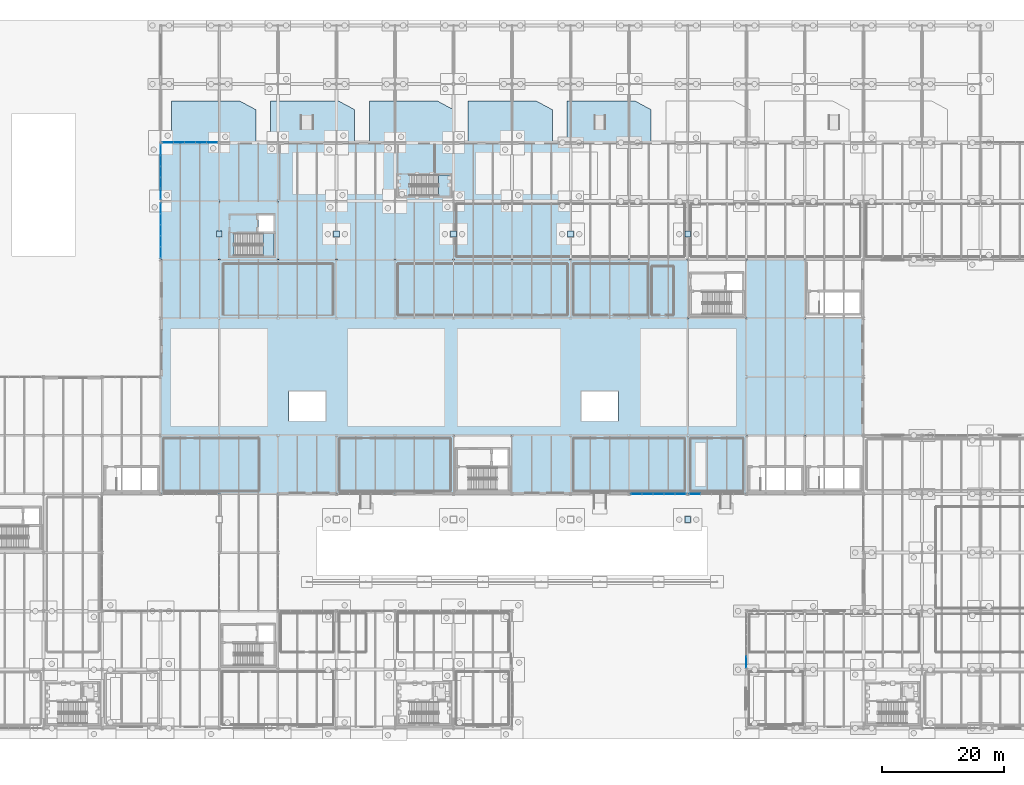
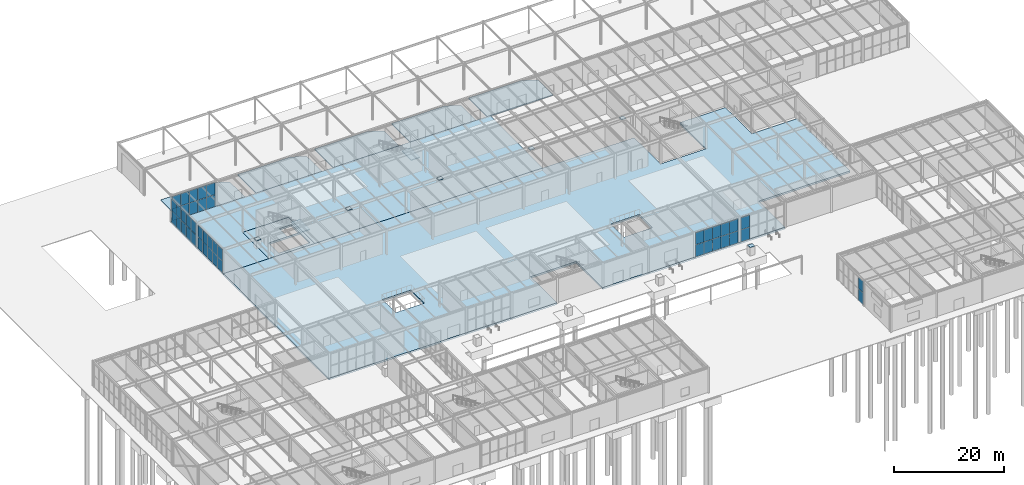
# One storey, part 109 of 142: 50 plates, 10 slabs, 8 elements without a shape of their own.
"""IFC4 building model written with IfcOpenShell, lengths in metres."""

from ifc_helpers import new_model, si_unit, direction, frame, origin, origin_2d, place, context, subcontext, project, spatial, polyline, rectangle, outline, extrude, material, layer, layer_set, type_object, element, aggregate, save


model = new_model("IFC4")

# Units and contexts
model_context = context("Model", 3, precision=1e-05, world=origin(), true_north=direction((0.0, 1.0)))
body_context = subcontext(model_context, "Body", "Model", "MODEL_VIEW")
ifc_project = project(units=[si_unit("LENGTHUNIT", "METRE"), si_unit("AREAUNIT", "SQUARE_METRE"), si_unit("VOLUMEUNIT", "CUBIC_METRE"), si_unit("PLANEANGLEUNIT", "RADIAN"), si_unit("MASSUNIT", "GRAM", prefix="KILO")], contexts=[model_context])

# Site, building, storey
site_placement = place(None, origin())
site = spatial("IfcSite", under=ifc_project, at=site_placement, CompositionType="ELEMENT")
building_placement = place(site_placement, origin())
building = spatial("IfcBuilding", under=site, at=building_placement, Name="Coralgate Yard Interchange", CompositionType="ELEMENT")
storey_placement = place(building_placement, origin())
storey = spatial("IfcBuildingStorey", under=building, at=storey_placement, Name="L00", CompositionType="ELEMENT", Elevation=0.0)

# Plates
ifc_material_1 = material(Name="Yellow-ochre weather-coated structural steel S355J2", Category="steel")
ifc_layer_1 = layer(ifc_material_1, 0.0400390625)
ifc_layer_set_1 = layer_set([ifc_layer_1], Name="Yellow-ochre weather-coated structural steel S355J2")
plate_type_1 = type_object("IfcPlateType", Name="PLT-BP-40", PredefinedType="USERDEFINED", material=ifc_layer_set_1)
for number, where, z_axis, x_axis, name in (
    (1, (48.0, 81.0, 1.800048828125), (0.0, 0.0, 1.0), (1.0, 0.0, 0.0), "Arch AR-1 N steel base plate BP-40"),
    (2, (67.199951171875, 81.0, 1.800048828125), (0.0, 0.0, 1.0), (1.0, 0.0, 0.0), "Arch AR-2 N steel base plate BP-40"),
    (3, (86.39990234375, 81.0, 1.800048828125), (0.0, 0.0, 1.0), (1.0, 0.0, 0.0), "Arch AR-3 N steel base plate BP-40"),
    (4, (105.60009765625, 81.0, 1.800048828125), (0.0, 0.0, 1.0), (1.0, 0.0, 0.0), "Arch AR-4 N steel base plate BP-40"),
    (5, (124.800048828125, 34.199951171875, 1.800048828125), (0.0, 0.0, 1.0), (1.0, 0.0, 0.0), "Arch AR-5 S steel base plate BP-40"),
    (6, (124.800048828125, 81.0, 1.800048828125), (0.0, 0.0, 1.0), (1.0, 0.0, 0.0), "Arch AR-5 N steel base plate BP-40"),
):
    element("IfcPlate", number, at=place(storey_placement, frame(where, z_axis=z_axis, x_axis=x_axis)), inside=storey, type_object=plate_type_1, Name=name, ObjectType="BASE PLATE", PredefinedType="USERDEFINED", context=body_context, shape_type="SweptSolid", body=[
        extrude(rectangle(XDim=0.949951171875, YDim=0.949951171875, at=origin_2d()), origin(), (0.0, 0.0, 1.0), 0.0400390625),
    ])

# Curtain wall, plates
ifc_material_2 = material(Name="Anodised coastal aluminium and solar-control low-E glass", Category="aluminium")
curtain_wall_type_1 = type_object("IfcCurtainWallType", Name="CW-CW-L00-B", PredefinedType="NOTDEFINED", material=ifc_material_2)
curtain_wall_1_placement = place(storey_placement, origin())
curtain_wall_1 = element("IfcCurtainWall", 7, at=curtain_wall_1_placement, inside=storey, type_object=curtain_wall_type_1, Name="L00 unitised curtain wall CW-L00-W-04-08", PredefinedType="NOTDEFINED")
ifc_material_3 = material(Name="Solar-control double-glazed low-E glass unit", Category="glass")
ifc_layer_2 = layer(ifc_material_3, 0.0419921875)
ifc_layer_set_2 = layer_set([ifc_layer_2], Name="Solar-control double-glazed low-E glass unit")
plate_type_2 = type_object("IfcPlateType", Name="PLT-CP-42", PredefinedType="CURTAIN_PANEL", material=ifc_layer_set_2)
plate_1_placement = place(storey_placement, frame((38.39990234375, 78.0, 0.02490234375), z_axis=(0.0, 0.0, 1.0), x_axis=(0.0, 1.0, 0.0)))
plate_1 = element("IfcPlate", 8, at=plate_1_placement, type_object=plate_type_2, Name="CW-L00-W-04-08 solar-control glazing panel 1-1", PredefinedType="CURTAIN_PANEL", context=body_context, shape_type="SweptSolid", body=[
    extrude(rectangle(XDim=1.75, YDim=0.0419921875, at=origin_2d()), origin(), (0.0, 0.0, 1.0), 2.558349609375),
])
plate_2_placement = place(storey_placement, frame((38.39990234375, 78.0, 2.63330078125), z_axis=(0.0, 0.0, 1.0), x_axis=(0.0, 1.0, 0.0)))
plate_2 = element("IfcPlate", 9, at=plate_2_placement, type_object=plate_type_2, Name="CW-L00-W-04-08 solar-control glazing panel 1-2", PredefinedType="CURTAIN_PANEL", context=body_context, shape_type="SweptSolid", body=[
    extrude(rectangle(XDim=1.75, YDim=0.0419921875, at=origin_2d()), origin(), (0.0, 0.0, 1.0), 2.558349609375),
])
plate_3_placement = place(storey_placement, frame((38.39990234375, 79.800048828125, 0.02490234375), z_axis=(0.0, 0.0, 1.0), x_axis=(0.0, 1.0, 0.0)))
plate_3 = element("IfcPlate", 10, at=plate_3_placement, type_object=plate_type_2, Name="CW-L00-W-04-08 solar-control glazing panel 2-1", PredefinedType="CURTAIN_PANEL", context=body_context, shape_type="SweptSolid", body=[
    extrude(rectangle(XDim=1.75, YDim=0.0419921875, at=origin_2d()), origin(), (0.0, 0.0, 1.0), 2.558349609375),
])
plate_4_placement = place(storey_placement, frame((38.39990234375, 79.800048828125, 2.63330078125), z_axis=(0.0, 0.0, 1.0), x_axis=(0.0, 1.0, 0.0)))
plate_4 = element("IfcPlate", 11, at=plate_4_placement, type_object=plate_type_2, Name="CW-L00-W-04-08 solar-control glazing panel 2-2", PredefinedType="CURTAIN_PANEL", context=body_context, shape_type="SweptSolid", body=[
    extrude(rectangle(XDim=1.75, YDim=0.0419921875, at=origin_2d()), origin(), (0.0, 0.0, 1.0), 2.558349609375),
])
plate_5_placement = place(storey_placement, frame((38.39990234375, 81.60009765625, 0.02490234375), z_axis=(0.0, 0.0, 1.0), x_axis=(0.0, 1.0, 0.0)))
plate_5 = element("IfcPlate", 12, at=plate_5_placement, type_object=plate_type_2, Name="CW-L00-W-04-08 solar-control glazing panel 3-1", PredefinedType="CURTAIN_PANEL", context=body_context, shape_type="SweptSolid", body=[
    extrude(rectangle(XDim=1.75, YDim=0.0419921875, at=origin_2d()), origin(), (0.0, 0.0, 1.0), 2.558349609375),
])
plate_6_placement = place(storey_placement, frame((38.39990234375, 81.60009765625, 2.63330078125), z_axis=(0.0, 0.0, 1.0), x_axis=(0.0, 1.0, 0.0)))
plate_6 = element("IfcPlate", 13, at=plate_6_placement, type_object=plate_type_2, Name="CW-L00-W-04-08 solar-control glazing panel 3-2", PredefinedType="CURTAIN_PANEL", context=body_context, shape_type="SweptSolid", body=[
    extrude(rectangle(XDim=1.75, YDim=0.0419921875, at=origin_2d()), origin(), (0.0, 0.0, 1.0), 2.558349609375),
])
plate_7_placement = place(storey_placement, frame((38.39990234375, 83.39990234375, 0.02490234375), z_axis=(0.0, 0.0, 1.0), x_axis=(0.0, 1.0, 0.0)))
plate_7 = element("IfcPlate", 14, at=plate_7_placement, type_object=plate_type_2, Name="CW-L00-W-04-08 solar-control glazing panel 4-1", PredefinedType="CURTAIN_PANEL", context=body_context, shape_type="SweptSolid", body=[
    extrude(rectangle(XDim=1.75, YDim=0.0419921875, at=origin_2d()), origin(), (0.0, 0.0, 1.0), 2.558349609375),
])
plate_8_placement = place(storey_placement, frame((38.39990234375, 83.39990234375, 2.63330078125), z_axis=(0.0, 0.0, 1.0), x_axis=(0.0, 1.0, 0.0)))
plate_8 = element("IfcPlate", 15, at=plate_8_placement, type_object=plate_type_2, Name="CW-L00-W-04-08 solar-control glazing panel 4-2", PredefinedType="CURTAIN_PANEL", context=body_context, shape_type="SweptSolid", body=[
    extrude(rectangle(XDim=1.75, YDim=0.0419921875, at=origin_2d()), origin(), (0.0, 0.0, 1.0), 2.558349609375),
])
plate_9_placement = place(storey_placement, frame((38.39990234375, 85.199951171875, 0.02490234375), z_axis=(0.0, 0.0, 1.0), x_axis=(0.0, 1.0, 0.0)))
plate_9 = element("IfcPlate", 16, at=plate_9_placement, type_object=plate_type_2, Name="CW-L00-W-04-08 solar-control glazing panel 5-1", PredefinedType="CURTAIN_PANEL", context=body_context, shape_type="SweptSolid", body=[
    extrude(rectangle(XDim=1.75, YDim=0.0419921875, at=origin_2d()), origin(), (0.0, 0.0, 1.0), 2.558349609375),
])
plate_10_placement = place(storey_placement, frame((38.39990234375, 85.199951171875, 2.63330078125), z_axis=(0.0, 0.0, 1.0), x_axis=(0.0, 1.0, 0.0)))
plate_10 = element("IfcPlate", 17, at=plate_10_placement, type_object=plate_type_2, Name="CW-L00-W-04-08 solar-control glazing panel 5-2", PredefinedType="CURTAIN_PANEL", context=body_context, shape_type="SweptSolid", body=[
    extrude(rectangle(XDim=1.75, YDim=0.0419921875, at=origin_2d()), origin(), (0.0, 0.0, 1.0), 2.558349609375),
])
aggregate(curtain_wall_1, [plate_1, plate_2, plate_3, plate_4, plate_5, plate_6, plate_7, plate_8, plate_9, plate_10])

curtain_wall_type_2 = type_object("IfcCurtainWallType", Name="CW-CW-L00-A", PredefinedType="NOTDEFINED", material=ifc_material_2)
curtain_wall_2_placement = place(storey_placement, origin())
curtain_wall_2 = element("IfcCurtainWall", 18, at=curtain_wall_2_placement, inside=storey, type_object=curtain_wall_type_2, Name="L00 unitised curtain wall CW-L00-W-04-09", PredefinedType="NOTDEFINED")
plate_11_placement = place(storey_placement, frame((38.39990234375, 87.60009765625, 0.02490234375), z_axis=(0.0, 0.0, 1.0), x_axis=(0.0, 1.0, 0.0)))
plate_11 = element("IfcPlate", 19, at=plate_11_placement, type_object=plate_type_2, Name="CW-L00-W-04-09 solar-control glazing panel 1-1", PredefinedType="CURTAIN_PANEL", context=body_context, shape_type="SweptSolid", body=[
    extrude(rectangle(XDim=1.75, YDim=0.0419921875, at=origin_2d()), origin(), (0.0, 0.0, 1.0), 2.558349609375),
])
plate_12_placement = place(storey_placement, frame((38.39990234375, 87.60009765625, 2.63330078125), z_axis=(0.0, 0.0, 1.0), x_axis=(0.0, 1.0, 0.0)))
plate_12 = element("IfcPlate", 20, at=plate_12_placement, type_object=plate_type_2, Name="CW-L00-W-04-09 solar-control glazing panel 1-2", PredefinedType="CURTAIN_PANEL", context=body_context, shape_type="SweptSolid", body=[
    extrude(rectangle(XDim=1.75, YDim=0.0419921875, at=origin_2d()), origin(), (0.0, 0.0, 1.0), 2.558349609375),
])
plate_13_placement = place(storey_placement, frame((38.39990234375, 89.39990234375, 0.02490234375), z_axis=(0.0, 0.0, 1.0), x_axis=(0.0, 1.0, 0.0)))
plate_13 = element("IfcPlate", 21, at=plate_13_placement, type_object=plate_type_2, Name="CW-L00-W-04-09 solar-control glazing panel 2-1", PredefinedType="CURTAIN_PANEL", context=body_context, shape_type="SweptSolid", body=[
    extrude(rectangle(XDim=1.75, YDim=0.0419921875, at=origin_2d()), origin(), (0.0, 0.0, 1.0), 2.558349609375),
])
plate_14_placement = place(storey_placement, frame((38.39990234375, 89.39990234375, 2.63330078125), z_axis=(0.0, 0.0, 1.0), x_axis=(0.0, 1.0, 0.0)))
plate_14 = element("IfcPlate", 22, at=plate_14_placement, type_object=plate_type_2, Name="CW-L00-W-04-09 solar-control glazing panel 2-2", PredefinedType="CURTAIN_PANEL", context=body_context, shape_type="SweptSolid", body=[
    extrude(rectangle(XDim=1.75, YDim=0.0419921875, at=origin_2d()), origin(), (0.0, 0.0, 1.0), 2.558349609375),
])
plate_15_placement = place(storey_placement, frame((38.39990234375, 91.199951171875, 0.02490234375), z_axis=(0.0, 0.0, 1.0), x_axis=(0.0, 1.0, 0.0)))
plate_15 = element("IfcPlate", 23, at=plate_15_placement, type_object=plate_type_2, Name="CW-L00-W-04-09 solar-control glazing panel 3-1", PredefinedType="CURTAIN_PANEL", context=body_context, shape_type="SweptSolid", body=[
    extrude(rectangle(XDim=1.75, YDim=0.0419921875, at=origin_2d()), origin(), (0.0, 0.0, 1.0), 2.558349609375),
])
plate_16_placement = place(storey_placement, frame((38.39990234375, 91.199951171875, 2.63330078125), z_axis=(0.0, 0.0, 1.0), x_axis=(0.0, 1.0, 0.0)))
plate_16 = element("IfcPlate", 24, at=plate_16_placement, type_object=plate_type_2, Name="CW-L00-W-04-09 solar-control glazing panel 3-2", PredefinedType="CURTAIN_PANEL", context=body_context, shape_type="SweptSolid", body=[
    extrude(rectangle(XDim=1.75, YDim=0.0419921875, at=origin_2d()), origin(), (0.0, 0.0, 1.0), 2.558349609375),
])
plate_17_placement = place(storey_placement, frame((38.39990234375, 93.0, 0.02490234375), z_axis=(0.0, 0.0, 1.0), x_axis=(0.0, 1.0, 0.0)))
plate_17 = element("IfcPlate", 25, at=plate_17_placement, type_object=plate_type_2, Name="CW-L00-W-04-09 solar-control glazing panel 4-1", PredefinedType="CURTAIN_PANEL", context=body_context, shape_type="SweptSolid", body=[
    extrude(rectangle(XDim=1.75, YDim=0.0419921875, at=origin_2d()), origin(), (0.0, 0.0, 1.0), 2.558349609375),
])
plate_18_placement = place(storey_placement, frame((38.39990234375, 93.0, 2.63330078125), z_axis=(0.0, 0.0, 1.0), x_axis=(0.0, 1.0, 0.0)))
plate_18 = element("IfcPlate", 26, at=plate_18_placement, type_object=plate_type_2, Name="CW-L00-W-04-09 solar-control glazing panel 4-2", PredefinedType="CURTAIN_PANEL", context=body_context, shape_type="SweptSolid", body=[
    extrude(rectangle(XDim=1.75, YDim=0.0419921875, at=origin_2d()), origin(), (0.0, 0.0, 1.0), 2.558349609375),
])
plate_19_placement = place(storey_placement, frame((38.39990234375, 94.800048828125, 0.02490234375), z_axis=(0.0, 0.0, 1.0), x_axis=(0.0, 1.0, 0.0)))
plate_19 = element("IfcPlate", 27, at=plate_19_placement, type_object=plate_type_2, Name="CW-L00-W-04-09 solar-control glazing panel 5-1", PredefinedType="CURTAIN_PANEL", context=body_context, shape_type="SweptSolid", body=[
    extrude(rectangle(XDim=1.75, YDim=0.0419921875, at=origin_2d()), origin(), (0.0, 0.0, 1.0), 2.558349609375),
])
plate_20_placement = place(storey_placement, frame((38.39990234375, 94.800048828125, 2.63330078125), z_axis=(0.0, 0.0, 1.0), x_axis=(0.0, 1.0, 0.0)))
plate_20 = element("IfcPlate", 28, at=plate_20_placement, type_object=plate_type_2, Name="CW-L00-W-04-09 solar-control glazing panel 5-2", PredefinedType="CURTAIN_PANEL", context=body_context, shape_type="SweptSolid", body=[
    extrude(rectangle(XDim=1.75, YDim=0.0419921875, at=origin_2d()), origin(), (0.0, 0.0, 1.0), 2.558349609375),
])
aggregate(curtain_wall_2, [plate_11, plate_12, plate_13, plate_14, plate_15, plate_16, plate_17, plate_18, plate_19, plate_20])

curtain_wall_3_placement = place(storey_placement, origin())
curtain_wall_3 = element("IfcCurtainWall", 29, at=curtain_wall_3_placement, inside=storey, type_object=curtain_wall_type_1, Name="L00 unitised curtain wall CW-L00-N-04-09", PredefinedType="NOTDEFINED")
plate_21_placement = place(storey_placement, frame((39.60009765625, 96.0, 0.025146484375), z_axis=(0.0, 0.0, 1.0), x_axis=(1.0, 0.0, 0.0)))
plate_21 = element("IfcPlate", 30, at=plate_21_placement, type_object=plate_type_2, Name="CW-L00-N-04-09 solar-control glazing panel 1-1", PredefinedType="CURTAIN_PANEL", context=body_context, shape_type="SweptSolid", body=[
    extrude(rectangle(XDim=1.75, YDim=0.0419921875, at=origin_2d()), origin(), (0.0, 0.0, 1.0), 2.64990234375),
])
plate_22_placement = place(storey_placement, frame((39.60009765625, 96.0, 2.72509765625), z_axis=(0.0, 0.0, 1.0), x_axis=(1.0, 0.0, 0.0)))
plate_22 = element("IfcPlate", 31, at=plate_22_placement, type_object=plate_type_2, Name="CW-L00-N-04-09 solar-control glazing panel 1-2", PredefinedType="CURTAIN_PANEL", context=body_context, shape_type="SweptSolid", body=[
    extrude(rectangle(XDim=1.75, YDim=0.0419921875, at=origin_2d()), origin(), (0.0, 0.0, 1.0), 2.64990234375),
])
plate_23_placement = place(storey_placement, frame((41.39990234375, 96.0, 0.025146484375), z_axis=(0.0, 0.0, 1.0), x_axis=(1.0, 0.0, 0.0)))
plate_23 = element("IfcPlate", 32, at=plate_23_placement, type_object=plate_type_2, Name="CW-L00-N-04-09 solar-control glazing panel 2-1", PredefinedType="CURTAIN_PANEL", context=body_context, shape_type="SweptSolid", body=[
    extrude(rectangle(XDim=1.75, YDim=0.0419921875, at=origin_2d()), origin(), (0.0, 0.0, 1.0), 2.64990234375),
])
plate_24_placement = place(storey_placement, frame((41.39990234375, 96.0, 2.72509765625), z_axis=(0.0, 0.0, 1.0), x_axis=(1.0, 0.0, 0.0)))
plate_24 = element("IfcPlate", 33, at=plate_24_placement, type_object=plate_type_2, Name="CW-L00-N-04-09 solar-control glazing panel 2-2", PredefinedType="CURTAIN_PANEL", context=body_context, shape_type="SweptSolid", body=[
    extrude(rectangle(XDim=1.75, YDim=0.0419921875, at=origin_2d()), origin(), (0.0, 0.0, 1.0), 2.64990234375),
])
plate_25_placement = place(storey_placement, frame((43.199951171875, 96.0, 0.025146484375), z_axis=(0.0, 0.0, 1.0), x_axis=(1.0, 0.0, 0.0)))
plate_25 = element("IfcPlate", 34, at=plate_25_placement, type_object=plate_type_2, Name="CW-L00-N-04-09 solar-control glazing panel 3-1", PredefinedType="CURTAIN_PANEL", context=body_context, shape_type="SweptSolid", body=[
    extrude(rectangle(XDim=1.75, YDim=0.0419921875, at=origin_2d()), origin(), (0.0, 0.0, 1.0), 2.64990234375),
])
plate_26_placement = place(storey_placement, frame((43.199951171875, 96.0, 2.72509765625), z_axis=(0.0, 0.0, 1.0), x_axis=(1.0, 0.0, 0.0)))
plate_26 = element("IfcPlate", 35, at=plate_26_placement, type_object=plate_type_2, Name="CW-L00-N-04-09 solar-control glazing panel 3-2", PredefinedType="CURTAIN_PANEL", context=body_context, shape_type="SweptSolid", body=[
    extrude(rectangle(XDim=1.75, YDim=0.0419921875, at=origin_2d()), origin(), (0.0, 0.0, 1.0), 2.64990234375),
])
plate_27_placement = place(storey_placement, frame((45.0, 96.0, 0.025146484375), z_axis=(0.0, 0.0, 1.0), x_axis=(1.0, 0.0, 0.0)))
plate_27 = element("IfcPlate", 36, at=plate_27_placement, type_object=plate_type_2, Name="CW-L00-N-04-09 solar-control glazing panel 4-1", PredefinedType="CURTAIN_PANEL", context=body_context, shape_type="SweptSolid", body=[
    extrude(rectangle(XDim=1.75, YDim=0.0419921875, at=origin_2d()), origin(), (0.0, 0.0, 1.0), 2.64990234375),
])
plate_28_placement = place(storey_placement, frame((45.0, 96.0, 2.72509765625), z_axis=(0.0, 0.0, 1.0), x_axis=(1.0, 0.0, 0.0)))
plate_28 = element("IfcPlate", 37, at=plate_28_placement, type_object=plate_type_2, Name="CW-L00-N-04-09 solar-control glazing panel 4-2", PredefinedType="CURTAIN_PANEL", context=body_context, shape_type="SweptSolid", body=[
    extrude(rectangle(XDim=1.75, YDim=0.0419921875, at=origin_2d()), origin(), (0.0, 0.0, 1.0), 2.64990234375),
])
plate_29_placement = place(storey_placement, frame((46.800048828125, 96.0, 0.025146484375), z_axis=(0.0, 0.0, 1.0), x_axis=(1.0, 0.0, 0.0)))
plate_29 = element("IfcPlate", 38, at=plate_29_placement, type_object=plate_type_2, Name="CW-L00-N-04-09 solar-control glazing panel 5-1", PredefinedType="CURTAIN_PANEL", context=body_context, shape_type="SweptSolid", body=[
    extrude(rectangle(XDim=1.75, YDim=0.0419921875, at=origin_2d()), origin(), (0.0, 0.0, 1.0), 2.64990234375),
])
plate_30_placement = place(storey_placement, frame((46.800048828125, 96.0, 2.72509765625), z_axis=(0.0, 0.0, 1.0), x_axis=(1.0, 0.0, 0.0)))
plate_30 = element("IfcPlate", 39, at=plate_30_placement, type_object=plate_type_2, Name="CW-L00-N-04-09 solar-control glazing panel 5-2", PredefinedType="CURTAIN_PANEL", context=body_context, shape_type="SweptSolid", body=[
    extrude(rectangle(XDim=1.75, YDim=0.0419921875, at=origin_2d()), origin(), (0.0, 0.0, 1.0), 2.64990234375),
])
aggregate(curtain_wall_3, [plate_21, plate_22, plate_23, plate_24, plate_25, plate_26, plate_27, plate_28, plate_29, plate_30])

curtain_wall_4_placement = place(storey_placement, origin())
curtain_wall_4 = element("IfcCurtainWall", 40, at=curtain_wall_4_placement, inside=storey, type_object=curtain_wall_type_2, Name="L00 unitised curtain wall CW-L00-S-12-04", PredefinedType="NOTDEFINED")
plate_31_placement = place(storey_placement, frame((123.60009765625, 38.39990234375, 0.025146484375), z_axis=(0.0, 0.0, 1.0), x_axis=(-1.0, 0.0, 0.0)))
plate_31 = element("IfcPlate", 41, at=plate_31_placement, type_object=plate_type_2, Name="CW-L00-S-12-04 solar-control glazing panel 1-1", PredefinedType="CURTAIN_PANEL", context=body_context, shape_type="SweptSolid", body=[
    extrude(rectangle(XDim=1.75, YDim=0.0419921875, at=origin_2d()), origin(), (0.0, 0.0, 1.0), 2.64990234375),
])
plate_32_placement = place(storey_placement, frame((123.60009765625, 38.39990234375, 2.72509765625), z_axis=(0.0, 0.0, 1.0), x_axis=(-1.0, 0.0, 0.0)))
plate_32 = element("IfcPlate", 42, at=plate_32_placement, type_object=plate_type_2, Name="CW-L00-S-12-04 solar-control glazing panel 1-2", PredefinedType="CURTAIN_PANEL", context=body_context, shape_type="SweptSolid", body=[
    extrude(rectangle(XDim=1.75, YDim=0.0419921875, at=origin_2d()), origin(), (0.0, 0.0, 1.0), 2.64990234375),
])
plate_33_placement = place(storey_placement, frame((121.800048828125, 38.39990234375, 0.025146484375), z_axis=(0.0, 0.0, 1.0), x_axis=(-1.0, 0.0, 0.0)))
plate_33 = element("IfcPlate", 43, at=plate_33_placement, type_object=plate_type_2, Name="CW-L00-S-12-04 solar-control glazing panel 2-1", PredefinedType="CURTAIN_PANEL", context=body_context, shape_type="SweptSolid", body=[
    extrude(rectangle(XDim=1.75, YDim=0.0419921875, at=origin_2d()), origin(), (0.0, 0.0, 1.0), 2.64990234375),
])
plate_34_placement = place(storey_placement, frame((121.800048828125, 38.39990234375, 2.72509765625), z_axis=(0.0, 0.0, 1.0), x_axis=(-1.0, 0.0, 0.0)))
plate_34 = element("IfcPlate", 44, at=plate_34_placement, type_object=plate_type_2, Name="CW-L00-S-12-04 solar-control glazing panel 2-2", PredefinedType="CURTAIN_PANEL", context=body_context, shape_type="SweptSolid", body=[
    extrude(rectangle(XDim=1.75, YDim=0.0419921875, at=origin_2d()), origin(), (0.0, 0.0, 1.0), 2.64990234375),
])
plate_35_placement = place(storey_placement, frame((120.0, 38.39990234375, 0.025146484375), z_axis=(0.0, 0.0, 1.0), x_axis=(-1.0, 0.0, 0.0)))
plate_35 = element("IfcPlate", 45, at=plate_35_placement, type_object=plate_type_2, Name="CW-L00-S-12-04 solar-control glazing panel 3-1", PredefinedType="CURTAIN_PANEL", context=body_context, shape_type="SweptSolid", body=[
    extrude(rectangle(XDim=1.75, YDim=0.0419921875, at=origin_2d()), origin(), (0.0, 0.0, 1.0), 2.64990234375),
])
plate_36_placement = place(storey_placement, frame((120.0, 38.39990234375, 2.72509765625), z_axis=(0.0, 0.0, 1.0), x_axis=(-1.0, 0.0, 0.0)))
plate_36 = element("IfcPlate", 46, at=plate_36_placement, type_object=plate_type_2, Name="CW-L00-S-12-04 solar-control glazing panel 3-2", PredefinedType="CURTAIN_PANEL", context=body_context, shape_type="SweptSolid", body=[
    extrude(rectangle(XDim=1.75, YDim=0.0419921875, at=origin_2d()), origin(), (0.0, 0.0, 1.0), 2.64990234375),
])
plate_37_placement = place(storey_placement, frame((118.199951171875, 38.39990234375, 0.025146484375), z_axis=(0.0, 0.0, 1.0), x_axis=(-1.0, 0.0, 0.0)))
plate_37 = element("IfcPlate", 47, at=plate_37_placement, type_object=plate_type_2, Name="CW-L00-S-12-04 solar-control glazing panel 4-1", PredefinedType="CURTAIN_PANEL", context=body_context, shape_type="SweptSolid", body=[
    extrude(rectangle(XDim=1.75, YDim=0.0419921875, at=origin_2d()), origin(), (0.0, 0.0, 1.0), 2.64990234375),
])
plate_38_placement = place(storey_placement, frame((118.199951171875, 38.39990234375, 2.72509765625), z_axis=(0.0, 0.0, 1.0), x_axis=(-1.0, 0.0, 0.0)))
plate_38 = element("IfcPlate", 48, at=plate_38_placement, type_object=plate_type_2, Name="CW-L00-S-12-04 solar-control glazing panel 4-2", PredefinedType="CURTAIN_PANEL", context=body_context, shape_type="SweptSolid", body=[
    extrude(rectangle(XDim=1.75, YDim=0.0419921875, at=origin_2d()), origin(), (0.0, 0.0, 1.0), 2.64990234375),
])
plate_39_placement = place(storey_placement, frame((116.39990234375, 38.39990234375, 0.025146484375), z_axis=(0.0, 0.0, 1.0), x_axis=(-1.0, 0.0, 0.0)))
plate_39 = element("IfcPlate", 49, at=plate_39_placement, type_object=plate_type_2, Name="CW-L00-S-12-04 solar-control glazing panel 5-1", PredefinedType="CURTAIN_PANEL", context=body_context, shape_type="SweptSolid", body=[
    extrude(rectangle(XDim=1.75, YDim=0.0419921875, at=origin_2d()), origin(), (0.0, 0.0, 1.0), 2.64990234375),
])
plate_40_placement = place(storey_placement, frame((116.39990234375, 38.39990234375, 2.72509765625), z_axis=(0.0, 0.0, 1.0), x_axis=(-1.0, 0.0, 0.0)))
plate_40 = element("IfcPlate", 50, at=plate_40_placement, type_object=plate_type_2, Name="CW-L00-S-12-04 solar-control glazing panel 5-2", PredefinedType="CURTAIN_PANEL", context=body_context, shape_type="SweptSolid", body=[
    extrude(rectangle(XDim=1.75, YDim=0.0419921875, at=origin_2d()), origin(), (0.0, 0.0, 1.0), 2.64990234375),
])
aggregate(curtain_wall_4, [plate_31, plate_32, plate_33, plate_34, plate_35, plate_36, plate_37, plate_38, plate_39, plate_40])

curtain_wall_5_placement = place(storey_placement, origin())
curtain_wall_5 = element("IfcCurtainWall", 51, at=curtain_wall_5_placement, inside=storey, type_object=curtain_wall_type_2, Name="L00 unitised curtain wall CW-L00-S-13-04", PredefinedType="NOTDEFINED")
plate_41_placement = place(storey_placement, frame((126.0, 38.39990234375, 0.025146484375), z_axis=(0.0, 0.0, 1.0), x_axis=(-1.0, 0.0, 0.0)))
plate_41 = element("IfcPlate", 52, at=plate_41_placement, type_object=plate_type_2, Name="CW-L00-S-13-04 solar-control glazing panel 5-1", PredefinedType="CURTAIN_PANEL", context=body_context, shape_type="SweptSolid", body=[
    extrude(rectangle(XDim=1.75, YDim=0.0419921875, at=origin_2d()), origin(), (0.0, 0.0, 1.0), 2.64990234375),
])
plate_42_placement = place(storey_placement, frame((126.0, 38.39990234375, 2.72509765625), z_axis=(0.0, 0.0, 1.0), x_axis=(-1.0, 0.0, 0.0)))
plate_42 = element("IfcPlate", 53, at=plate_42_placement, type_object=plate_type_2, Name="CW-L00-S-13-04 solar-control glazing panel 5-2", PredefinedType="CURTAIN_PANEL", context=body_context, shape_type="SweptSolid", body=[
    extrude(rectangle(XDim=1.75, YDim=0.0419921875, at=origin_2d()), origin(), (0.0, 0.0, 1.0), 2.64990234375),
])
aggregate(curtain_wall_5, [plate_41, plate_42])

curtain_wall_6_placement = place(storey_placement, origin())
curtain_wall_6 = element("IfcCurtainWall", 54, at=curtain_wall_6_placement, inside=storey, type_object=curtain_wall_type_2, Name="L00 unitised curtain wall CW-L00-W-14-01", PredefinedType="NOTDEFINED")
plate_43_placement = place(storey_placement, frame((134.39990234375, 10.800048828125, 0.02490234375), z_axis=(0.0, 0.0, 1.0), x_axis=(0.0, 1.0, 0.0)))
plate_43 = element("IfcPlate", 55, at=plate_43_placement, type_object=plate_type_2, Name="CW-L00-W-14-01 solar-control glazing panel 1-1", PredefinedType="CURTAIN_PANEL", context=body_context, shape_type="SweptSolid", body=[
    extrude(rectangle(XDim=1.75, YDim=0.0419921875, at=origin_2d()), origin(), (0.0, 0.0, 1.0), 2.558349609375),
])
plate_44_placement = place(storey_placement, frame((134.39990234375, 10.800048828125, 2.63330078125), z_axis=(0.0, 0.0, 1.0), x_axis=(0.0, 1.0, 0.0)))
plate_44 = element("IfcPlate", 56, at=plate_44_placement, type_object=plate_type_2, Name="CW-L00-W-14-01 solar-control glazing panel 1-2", PredefinedType="CURTAIN_PANEL", context=body_context, shape_type="SweptSolid", body=[
    extrude(rectangle(XDim=1.75, YDim=0.0419921875, at=origin_2d()), origin(), (0.0, 0.0, 1.0), 2.558349609375),
])
aggregate(curtain_wall_6, [plate_43, plate_44])

# Stair, slab
ifc_material_4 = material(Name="Concrete C40/50", Category="concrete")
stair_type_1 = type_object("IfcStairType", Name="STR-DL-175-60", PredefinedType="HALF_TURN_STAIR", material=ifc_material_4)
stair_1_placement = place(storey_placement, origin())
stair_1 = element("IfcStair", 57, at=stair_1_placement, inside=storey, type_object=stair_type_1, Name="L00 Escape stair ST-05", PredefinedType="HALF_TURN_STAIR")
ifc_layer_3 = layer(ifc_material_4, 0.199951171875)
ifc_layer_set_3 = layer_set([ifc_layer_3], Name="Concrete C40/50")
slab_type_1 = type_object("IfcSlabType", Name="SLB-LND200", PredefinedType="LANDING", material=ifc_layer_set_3)
slab_1_placement = place(storey_placement, frame((0.0, 0.0, 2.800048828125)))
slab_1 = element("IfcSlab", 58, at=slab_1_placement, type_object=slab_type_1, Name="ST-05 landing 1", PredefinedType="LANDING", context=body_context, shape_type="SweptSolid", body=[
    extrude(outline(polyline([(55.159912109375, 77.449951171875), (57.0, 77.449951171875), (57.0, 81.110107421875), (55.159912109375, 81.110107421875), (55.159912109375, 77.449951171875)])), origin(), (0.0, 0.0, 1.0), 0.199951171875),
])
aggregate(stair_1, [slab_1])

stair_type_2 = type_object("IfcStairType", Name="STR-DL-158-60", PredefinedType="HALF_TURN_STAIR", material=ifc_material_4)
stair_2_placement = place(storey_placement, origin())
stair_2 = element("IfcStair", 59, at=stair_2_placement, inside=storey, type_object=stair_type_2, Name="L00 Escape stair ST-09", PredefinedType="HALF_TURN_STAIR")
slab_2_placement = place(storey_placement, frame((0.0, 0.0, 2.800048828125)))
slab_2 = element("IfcSlab", 60, at=slab_2_placement, type_object=slab_type_1, Name="ST-09 landing 1", PredefinedType="LANDING", context=body_context, shape_type="SweptSolid", body=[
    extrude(outline(polyline([(83.9599609375, 87.260009765625), (85.800048828125, 87.260009765625), (85.800048828125, 90.7099609375), (83.9599609375, 90.7099609375), (83.9599609375, 87.260009765625)])), origin(), (0.0, 0.0, 1.0), 0.199951171875),
])
aggregate(stair_2, [slab_2])

# Slabs
ifc_layer_4 = layer(ifc_material_4, 0.199951171875)
ifc_layer_set_4 = layer_set([ifc_layer_4], Name="Concrete C40/50")
slab_type_2 = type_object("IfcSlabType", Name="SLB-SL-BUS200", PredefinedType="BASESLAB", material=ifc_layer_set_4)
slab_3_placement = place(storey_placement, frame((0.0, 0.0, -0.199951171875)))
element("IfcSlab", 61, at=slab_3_placement, inside=storey, type_object=slab_type_2, Name="Sawtooth bus boarding island 1", PredefinedType="BASESLAB", context=body_context, shape_type="SweptSolid", body=[
    extrude(outline(polyline([(40.199951171875, 96.0), (54.0, 96.0), (54.0, 101.39990234375), (51.39990234375, 102.800048828125), (40.199951171875, 102.800048828125), (40.199951171875, 96.0)])), origin(), (0.0, 0.0, 1.0), 0.199951171875),
])
slab_4_placement = place(storey_placement, frame((0.0, 0.0, -0.199951171875)))
element("IfcSlab", 62, at=slab_4_placement, inside=storey, type_object=slab_type_2, Name="Sawtooth bus boarding island 2", PredefinedType="BASESLAB", context=body_context, shape_type="SweptSolid", body=[
    extrude(outline(polyline([(56.39990234375, 96.0), (70.199951171875, 96.0), (70.199951171875, 101.39990234375), (67.60009765625, 102.800048828125), (56.39990234375, 102.800048828125), (56.39990234375, 96.0)])), origin(), (0.0, 0.0, 1.0), 0.199951171875),
])
slab_5_placement = place(storey_placement, frame((0.0, 0.0, -0.199951171875)))
element("IfcSlab", 63, at=slab_5_placement, inside=storey, type_object=slab_type_2, Name="Sawtooth bus boarding island 3", PredefinedType="BASESLAB", context=body_context, shape_type="SweptSolid", body=[
    extrude(outline(polyline([(72.60009765625, 96.0), (86.39990234375, 96.0), (86.39990234375, 101.39990234375), (83.800048828125, 102.800048828125), (72.60009765625, 102.800048828125), (72.60009765625, 96.0)])), origin(), (0.0, 0.0, 1.0), 0.199951171875),
])
slab_6_placement = place(storey_placement, frame((0.0, 0.0, -0.199951171875)))
element("IfcSlab", 64, at=slab_6_placement, inside=storey, type_object=slab_type_2, Name="Sawtooth bus boarding island 4", PredefinedType="BASESLAB", context=body_context, shape_type="SweptSolid", body=[
    extrude(outline(polyline([(88.800048828125, 96.0), (102.60009765625, 96.0), (102.60009765625, 101.39990234375), (100.0, 102.800048828125), (88.800048828125, 102.800048828125), (88.800048828125, 96.0)])), origin(), (0.0, 0.0, 1.0), 0.199951171875),
])
slab_7_placement = place(storey_placement, frame((0.0, 0.0, -0.199951171875)))
element("IfcSlab", 65, at=slab_7_placement, inside=storey, type_object=slab_type_2, Name="Sawtooth bus boarding island 5", PredefinedType="BASESLAB", context=body_context, shape_type="SweptSolid", body=[
    extrude(outline(polyline([(105.0, 96.0), (118.800048828125, 96.0), (118.800048828125, 101.39990234375), (116.199951171875, 102.800048828125), (105.0, 102.800048828125), (105.0, 96.0)])), origin(), (0.0, 0.0, 1.0), 0.199951171875),
])
ifc_layer_5 = layer(ifc_material_4, 0.39990234375)
ifc_layer_set_5 = layer_set([ifc_layer_5], Name="Concrete C40/50")
slab_type_3 = type_object("IfcSlabType", Name="SLB-SL-GND400", PredefinedType="FLOOR", material=ifc_layer_set_5)
slab_8_placement = place(storey_placement, frame((0.0, 0.0, -0.39990234375)))
element("IfcSlab", 66, at=slab_8_placement, inside=storey, type_object=slab_type_3, Name="L00 core C5 structural floor slab", PredefinedType="FLOOR", context=body_context, shape_type="SweptSolid", body=[
    extrude(outline(polyline([(57.60009765625, 86.39990234375), (57.60009765625, 76.800048828125), (48.0, 76.800048828125), (48.0, 86.39990234375), (57.60009765625, 86.39990234375)]), holes=[polyline([(57.0, 81.110107421875), (50.419921875, 81.110107421875), (50.419921875, 77.449951171875), (57.0, 77.449951171875), (57.0, 81.110107421875)]), polyline([(56.89990234375, 81.25), (56.89990234375, 84.10009765625), (54.39990234375, 84.10009765625), (54.39990234375, 81.25), (56.89990234375, 81.25)])]), origin(), (0.0, 0.0, 1.0), 0.39990234375),
])
slab_9_placement = place(storey_placement, frame((0.0, 0.0, -0.39990234375)))
element("IfcSlab", 67, at=slab_9_placement, inside=storey, type_object=slab_type_3, Name="L00 central vaulted concourse transfer slab", PredefinedType="FLOOR", context=body_context, shape_type="SweptSolid", body=[
    extrude(outline(polyline([(57.60009765625, 76.800048828125), (67.199951171875, 76.800048828125), (76.800048828125, 76.800048828125), (86.39990234375, 76.800048828125), (96.0, 76.800048828125), (105.60009765625, 76.800048828125), (115.199951171875, 76.800048828125), (124.800048828125, 76.800048828125), (124.800048828125, 67.199951171875), (134.39990234375, 67.199951171875), (134.39990234375, 76.800048828125), (144.0, 76.800048828125), (144.0, 67.199951171875), (153.60009765625, 67.199951171875), (153.60009765625, 57.60009765625), (153.60009765625, 48.0), (144.0, 48.0), (134.39990234375, 48.0), (134.39990234375, 38.39990234375), (124.800048828125, 38.39990234375), (115.199951171875, 38.39990234375), (105.60009765625, 38.39990234375), (96.0, 38.39990234375), (96.0, 48.0), (86.39990234375, 48.0), (86.39990234375, 38.39990234375), (76.800048828125, 38.39990234375), (67.199951171875, 38.39990234375), (57.60009765625, 38.39990234375), (48.0, 38.39990234375), (38.39990234375, 38.39990234375), (38.39990234375, 48.0), (38.39990234375, 57.60009765625), (38.39990234375, 67.199951171875), (38.39990234375, 76.800048828125), (48.0, 76.800048828125), (57.60009765625, 76.800048828125)]), holes=[polyline([(65.39990234375, 55.199951171875), (59.39990234375, 55.199951171875), (59.39990234375, 50.39990234375), (65.39990234375, 50.39990234375), (65.39990234375, 55.199951171875)]), polyline([(113.39990234375, 50.39990234375), (113.39990234375, 55.199951171875), (107.39990234375, 55.199951171875), (107.39990234375, 50.39990234375), (113.39990234375, 50.39990234375)])]), origin(), (0.0, 0.0, 1.0), 0.39990234375),
])
ifc_layer_6 = layer(ifc_material_4, 0.360107421875)
ifc_layer_set_6 = layer_set([ifc_layer_6], Name="Concrete C40/50")
slab_type_4 = type_object("IfcSlabType", Name="SLB-SL-SOG360", PredefinedType="BASESLAB", material=ifc_layer_set_6)
slab_10_placement = place(storey_placement, frame((0.0, 0.0, -0.360107421875)))
element("IfcSlab", 68, at=slab_10_placement, inside=storey, type_object=slab_type_4, Name="L00 west bus waiting concourse slab", PredefinedType="BASESLAB", context=body_context, shape_type="SweptSolid", body=[
    extrude(outline(polyline([(38.39990234375, 76.800048828125), (38.39990234375, 86.39990234375), (38.39990234375, 96.0), (48.0, 96.0), (57.60009765625, 96.0), (67.199951171875, 96.0), (76.800048828125, 96.0), (86.39990234375, 96.0), (96.0, 96.0), (105.60009765625, 96.0), (105.60009765625, 86.39990234375), (105.60009765625, 76.800048828125), (96.0, 76.800048828125), (86.39990234375, 76.800048828125), (76.800048828125, 76.800048828125), (67.199951171875, 76.800048828125), (57.60009765625, 76.800048828125), (57.60009765625, 86.39990234375), (48.0, 86.39990234375), (48.0, 76.800048828125), (38.39990234375, 76.800048828125)])), origin(), (0.0, 0.0, 1.0), 0.360107421875),
])

save(model, "model.ifc")
